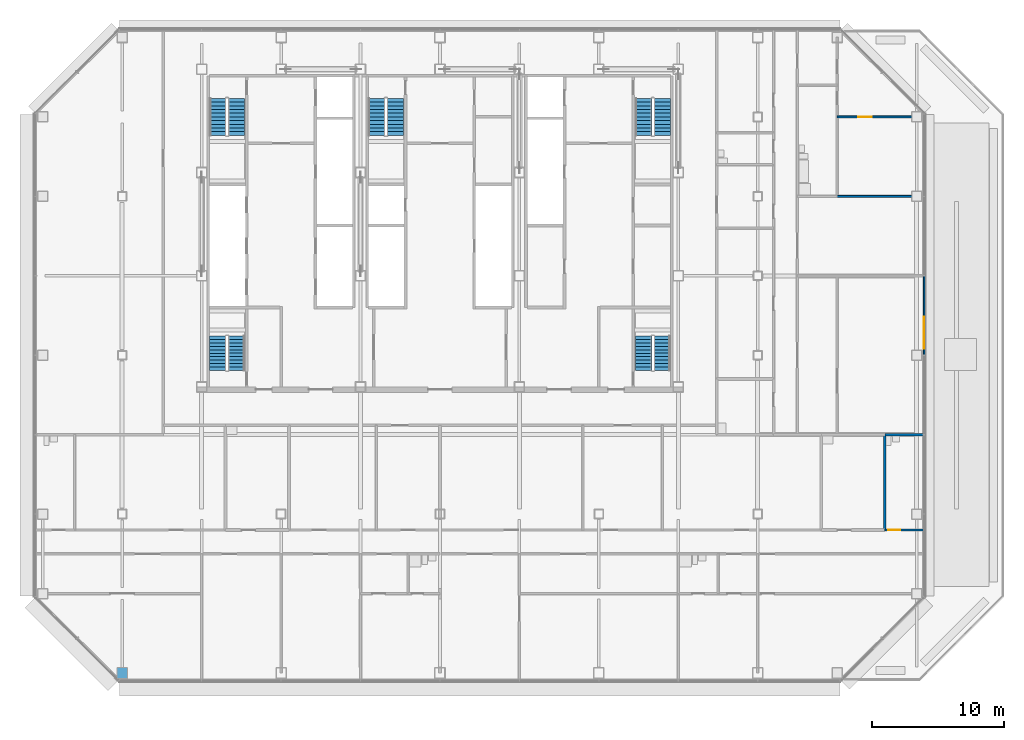
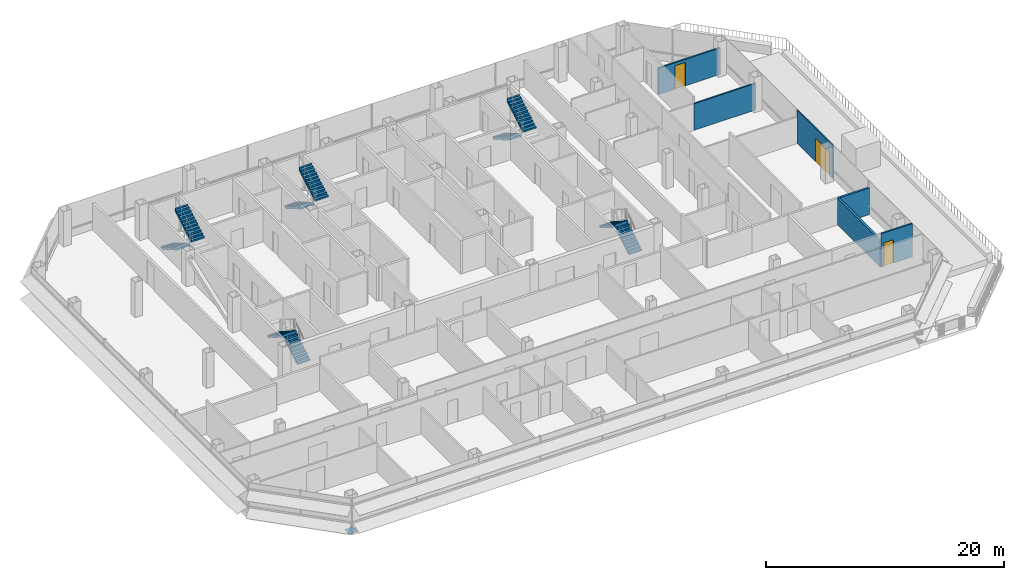
# One storey, part 21 of 28: 10 stair flights, 6 walls, 3 doors, 1 discrete accessory, 3 openings, 5 elements without a shape of their own.
"""IFC4 building model written with IfcOpenShell, lengths in metres."""

from ifc_helpers import new_model, si_unit, direction, frame, frame_2d, origin, origin_2d, place, context, subcontext, project, spatial, polyline, rectangle, outline, extrude, material, layer, layer_set, type_object, element, fill, aggregate, save


model = new_model("IFC4")

# Units and contexts
model_context = context("Model", 3, precision=1e-05, world=origin(), true_north=direction((0.0, 1.0)))
body_context = subcontext(model_context, "Body", "Model", "MODEL_VIEW")
ifc_project = project(units=[si_unit("LENGTHUNIT", "METRE"), si_unit("AREAUNIT", "SQUARE_METRE"), si_unit("VOLUMEUNIT", "CUBIC_METRE"), si_unit("PLANEANGLEUNIT", "RADIAN"), si_unit("MASSUNIT", "GRAM", prefix="KILO")], contexts=[model_context])

# Site, building, storey
site_placement = place(None, origin())
site = spatial("IfcSite", under=ifc_project, at=site_placement, CompositionType="ELEMENT")
building_placement = place(site_placement, origin())
building = spatial("IfcBuilding", under=site, at=building_placement, Name="Sorahane Residences", CompositionType="ELEMENT")
storey_placement = place(building_placement, frame((0.0, 0.0, 96.199951171875)))
storey = spatial("IfcBuildingStorey", under=building, at=storey_placement, Name="L20", CompositionType="ELEMENT", Elevation=96.199951171875)

# Wall, opening, door
ifc_material_1 = material(Name="Toughened low-iron glass", Category="glass")
ifc_layer_1 = layer(ifc_material_1, 0.10009765625)
ifc_layer_set_1 = layer_set([ifc_layer_1], Name="Glazed door screen toughened low-iron glass 100")
wall_type_1 = type_object("IfcWallType", Name="Glazed door screen toughened low-iron glass 100", PredefinedType="SOLIDWALL", material=ifc_layer_set_1)
wall_1_placement = place(storey_placement, frame((60.570068359375, 24.02490234375, 0.0), z_axis=(0.0, 0.0, 1.0), x_axis=(0.0, 1.0, 0.0)))
wall_1 = element("IfcWall", 1, at=wall_1_placement, inside=storey, type_object=wall_type_1, Name="Glazed door screen L20 E1.4", PredefinedType="SOLIDWALL", context=body_context, shape_type="SweptSolid", body=[
    extrude(rectangle(XDim=5.9501953125, YDim=0.10009765625, at=frame_2d((2.97509765625, 0.0))), origin(), (0.0, 0.0, 1.0), 3.420166015625),
])
opening_1_placement = place(wall_1_placement, frame((0.4755859375, 0.0, 0.0)))
opening_1 = element("IfcOpeningElement", 2, at=opening_1_placement, cuts=wall_1, Name="Opening L20-F01", PredefinedType="OPENING", context=body_context, shape_type="SweptSolid", body=[
    extrude(rectangle(XDim=2.39990234375, YDim=2.39990234375, at=frame_2d((1.199951171875, 1.199951171875))), frame((0.0, 0.06005859375, 0.0), z_axis=(0.0, -1.0, 0.0), x_axis=(1.0, 0.0, 0.0)), (0.0, 0.0, 1.0), 0.1201171875),
])
ifc_material_2 = material(Name="Black anodised aluminium and low-iron glass", Category="aluminium")
door_type_1 = type_object("IfcDoorType", Name="Glazed terrace door black aluminium 2400x2400", OperationType="DOUBLE_DOOR_SINGLE_SWING", PredefinedType="DOOR", material=ifc_material_2)
door_1_placement = place(opening_1_placement, origin())
door_1 = element("IfcDoor", 3, at=door_1_placement, inside=storey, type_object=door_type_1, Name="Terrace door L20-F01", OperationType="DOUBLE_DOOR_SINGLE_SWING", OverallHeight=2.39990234375, OverallWidth=2.39990234375, PredefinedType="DOOR", context=body_context, shape_type="SweptSolid", body=[
    extrude(rectangle(XDim=2.39990234375, YDim=2.39990234375, at=frame_2d((1.199951171875, 1.199951171875))), frame((0.0, 0.02490234375, 0.0), z_axis=(0.0, -1.0, 0.0), x_axis=(1.0, 0.0, 0.0)), (0.0, 0.0, 1.0), 0.050048828125),
])
fill(opening_1, door_1)

# Walls
ifc_material_3 = material(Name="Concrete blockwork C20 wall", Category="masonry")
ifc_layer_2 = layer(ifc_material_3, 0.199951171875)
ifc_layer_set_2 = layer_set([ifc_layer_2], Name="Kitchen wall 200 EI 180")
wall_type_2 = type_object("IfcWallType", Name="Kitchen wall 200 EI 180", PredefinedType="SOLIDWALL", material=ifc_layer_set_2)
wall_2_placement = place(storey_placement, frame((57.60009765625, 10.800048828125, 0.0), z_axis=(0.0, 0.0, 1.0), x_axis=(0.0, 1.0, 0.0)))
element("IfcWall", 4, at=wall_2_placement, inside=storey, type_object=wall_type_2, Name="L20 kitchen wall", PredefinedType="SOLIDWALL", context=body_context, shape_type="SweptSolid", body=[
    extrude(rectangle(XDim=7.199951171875, YDim=0.199951171875, at=frame_2d((3.60009765625, 0.0))), origin(), (0.0, 0.0, 1.0), 2.719970703125),
])
ifc_material_4 = material(Name="Gypsum board partition on steel studs", Category="steel")
ifc_layer_3 = layer(ifc_material_4, 0.14990234375)
ifc_layer_set_3 = layer_set([ifc_layer_3], Name="Partition 150 EI 90")
wall_type_3 = type_object("IfcWallType", Name="Partition 150 EI 90", PredefinedType="PARTITIONING", material=ifc_layer_set_3)
wall_3_placement = place(storey_placement, frame((54.0, 36.0, 0.0), z_axis=(0.0, 0.0, 1.0), x_axis=(1.0, 0.0, 0.0)))
element("IfcWall", 5, at=wall_3_placement, inside=storey, type_object=wall_type_3, Name="L20 partition", PredefinedType="PARTITIONING", context=body_context, shape_type="SweptSolid", body=[
    extrude(rectangle(XDim=6.0, YDim=0.14990234375, at=frame_2d((3.0, 0.0))), origin(), (0.0, 0.0, 1.0), 2.719970703125),
])

# Wall, opening, door
wall_4_placement = place(storey_placement, frame((54.0, 42.0, 0.0), z_axis=(0.0, 0.0, 1.0), x_axis=(1.0, 0.0, 0.0)))
wall_4 = element("IfcWall", 6, at=wall_4_placement, inside=storey, type_object=wall_type_3, Name="L20 partition", PredefinedType="PARTITIONING", context=body_context, shape_type="SweptSolid", body=[
    extrude(rectangle(XDim=6.0, YDim=0.14990234375, at=frame_2d((3.0, 0.0))), origin(), (0.0, 0.0, 1.0), 2.719970703125),
])
opening_2_placement = place(wall_4_placement, frame((1.60009765625, 0.0, 0.0)))
opening_2 = element("IfcOpeningElement", 7, at=opening_2_placement, cuts=wall_4, Name="Opening L20-36", PredefinedType="OPENING", context=body_context, shape_type="SweptSolid", body=[
    extrude(rectangle(XDim=1.0, YDim=2.39990234375, at=frame_2d((0.5, 1.199951171875))), frame((0.0, 0.0849609375, 0.0), z_axis=(0.0, -1.0, 0.0), x_axis=(1.0, 0.0, 0.0)), (0.0, 0.0, 1.0), 0.169921875),
])
ifc_material_5 = material(Name="Timber veneered fire door", Category="wood")
door_type_2 = type_object("IfcDoorType", Name="Room door 1000x2400 FD30", OperationType="NOTDEFINED", PredefinedType="DOOR", material=ifc_material_5)
door_2_placement = place(opening_2_placement, frame((1.0, 0.0, 0.0), z_axis=(0.0, 0.0, 1.0), x_axis=(-1.0, 0.0, 0.0)))
door_2 = element("IfcDoor", 8, at=door_2_placement, inside=storey, type_object=door_type_2, Name="Room door L20-36", OperationType="SINGLE_SWING_LEFT", OverallHeight=2.39990234375, OverallWidth=1.0, PredefinedType="DOOR", context=body_context, shape_type="SweptSolid", body=[
    extrude(rectangle(XDim=1.0, YDim=2.39990234375, at=frame_2d((0.5, 1.199951171875))), frame((0.0, 0.02490234375, 0.0), z_axis=(0.0, -1.0, 0.0), x_axis=(1.0, 0.0, 0.0)), (0.0, 0.0, 1.0), 0.050048828125),
])
fill(opening_2, door_2)

# Wall
ifc_material_6 = material(Name="Concrete blockwork C20 wall", Category="masonry")
ifc_layer_4 = layer(ifc_material_6, 0.199951171875)
ifc_layer_set_4 = layer_set([ifc_layer_4], Name="Party wall 200 EI 120")
wall_type_4 = type_object("IfcWallType", Name="Party wall 200 EI 120", PredefinedType="SOLIDWALL", material=ifc_layer_set_4)
wall_5_placement = place(storey_placement, frame((57.60009765625, 18.0, 0.0), z_axis=(0.0, 0.0, 1.0), x_axis=(1.0, 0.0, 0.0)))
element("IfcWall", 9, at=wall_5_placement, inside=storey, type_object=wall_type_4, Name="L20 party wall", PredefinedType="SOLIDWALL", context=body_context, shape_type="SweptSolid", body=[
    extrude(rectangle(XDim=3.0, YDim=0.199951171875, at=frame_2d((1.5, 0.0))), origin(), (0.0, 0.0, 1.0), 2.719970703125),
])

# Wall, opening, door
ifc_material_7 = material(Name="Gypsum board partition on steel studs", Category="steel")
ifc_layer_5 = layer(ifc_material_7, 0.14990234375)
ifc_layer_set_5 = layer_set([ifc_layer_5], Name="Wet wall 150 EI 90")
wall_type_5 = type_object("IfcWallType", Name="Wet wall 150 EI 90", PredefinedType="PARTITIONING", material=ifc_layer_set_5)
wall_6_placement = place(storey_placement, frame((57.60009765625, 10.800048828125, 0.0), z_axis=(0.0, 0.0, 1.0), x_axis=(1.0, 0.0, 0.0)))
wall_6 = element("IfcWall", 10, at=wall_6_placement, inside=storey, type_object=wall_type_5, Name="L20 wet wall", PredefinedType="PARTITIONING", context=body_context, shape_type="SweptSolid", body=[
    extrude(rectangle(XDim=3.0, YDim=0.14990234375, at=frame_2d((1.5, 0.0))), origin(), (0.0, 0.0, 1.0), 3.420166015625),
])
opening_3_placement = place(wall_6_placement, frame((0.25, 0.0, 0.0)))
opening_3 = element("IfcOpeningElement", 11, at=opening_3_placement, cuts=wall_6, Name="Opening L20-17", PredefinedType="OPENING", context=body_context, shape_type="SweptSolid", body=[
    extrude(rectangle(XDim=0.89990234375, YDim=2.39990234375, at=frame_2d((0.449951171875, 1.199951171875))), frame((0.0, 0.0849609375, 0.0), z_axis=(0.0, -1.0, 0.0), x_axis=(1.0, 0.0, 0.0)), (0.0, 0.0, 1.0), 0.169921875),
])
ifc_material_8 = material(Name="Timber veneered fire door", Category="wood")
door_type_3 = type_object("IfcDoorType", Name="Bathroom door 900x2400 FD30", OperationType="NOTDEFINED", PredefinedType="DOOR", material=ifc_material_8)
door_3_placement = place(opening_3_placement, frame((0.89990234375, 0.0, 0.0), z_axis=(0.0, 0.0, 1.0), x_axis=(-1.0, 0.0, 0.0)))
door_3 = element("IfcDoor", 12, at=door_3_placement, inside=storey, type_object=door_type_3, Name="Bathroom door L20-17", OperationType="SINGLE_SWING_RIGHT", OverallHeight=2.39990234375, OverallWidth=0.89990234375, PredefinedType="DOOR", context=body_context, shape_type="SweptSolid", body=[
    extrude(rectangle(XDim=0.89990234375, YDim=2.39990234375, at=frame_2d((0.449951171875, 1.199951171875))), frame((0.0, 0.02490234375, 0.0), z_axis=(0.0, -1.0, 0.0), x_axis=(1.0, 0.0, 0.0)), (0.0, 0.0, 1.0), 0.050048828125),
])
fill(opening_3, door_3)

# Stair, stair flights
ifc_material_9 = material(Name="Concrete C40", Category="concrete")
stair_type = type_object("IfcStairType", Name="Dog-leg stair 1250 Concrete C40", PredefinedType="HALF_TURN_STAIR", material=ifc_material_9)
stair_1_placement = place(storey_placement, origin())
stair_1 = element("IfcStair", 13, at=stair_1_placement, inside=storey, type_object=stair_type, Name="L20 Stair S1", PredefinedType="HALF_TURN_STAIR")
ifc_material_10 = material(Name="Concrete C40", Category="concrete")
stair_flight_type = type_object("IfcStairFlightType", Name="Stair flight 1250 Concrete C40", PredefinedType="STRAIGHT", material=ifc_material_10)
stair_flight_1_placement = place(storey_placement, frame((7.22509765625, 43.39990234375, 0.0), z_axis=(0.0, 0.0, 1.0), x_axis=(0.0, -1.0, 0.0)))
stair_flight_1 = element("IfcStairFlight", 14, at=stair_flight_1_placement, type_object=stair_flight_type, Name="S1 flight 1", NumberOfRisers=11, NumberOfTreads=10, PredefinedType="STRAIGHT", RiserHeight=0.163636364, TreadLength=0.28, context=body_context, shape_type="SweptSolid", body=[
    extrude(outline(polyline([(-0.00146484375, 0.0), (-0.00146484375, 0.16357421875), (0.0, 0.16357421875), (0.280029296875, 0.16357421875), (0.280029296875, 0.327392578125), (0.56005859375, 0.327392578125), (0.56005859375, 0.490966796875), (0.840087890625, 0.490966796875), (0.840087890625, 0.654541015625), (1.1201171875, 0.654541015625), (1.1201171875, 0.818115234375), (1.39990234375, 0.818115234375), (1.39990234375, 0.98193359375), (1.679931640625, 0.98193359375), (1.679931640625, 1.1455078125), (1.9599609375, 1.1455078125), (1.9599609375, 1.30908203125), (2.239990234375, 1.30908203125), (2.239990234375, 1.47265625), (2.52001953125, 1.47265625), (2.52001953125, 1.636474609375), (2.800048828125, 1.636474609375), (2.800048828125, 1.800048828125), (2.800048828125, 1.462646484375), (2.59130859375, 1.3408203125), (2.3828125, 1.218994140625), (2.17431640625, 1.09716796875), (1.965576171875, 0.97509765625), (1.757080078125, 0.853271484375), (1.548583984375, 0.7314453125), (1.340087890625, 0.609375), (1.13134765625, 0.487548828125), (0.9228515625, 0.36572265625), (0.71435546875, 0.243896484375), (0.505615234375, 0.121826171875), (0.297119140625, 0.0), (-0.00146484375, 0.0)])), frame((0.0, 0.625, 0.0), z_axis=(0.0, -1.0, 0.0), x_axis=(1.0, 0.0, 0.0)), (0.0, 0.0, 1.0), 1.25),
])
stair_flight_2_placement = place(storey_placement, frame((8.625, 40.60009765625, 1.800048828125), z_axis=(0.0, 0.0, 1.0), x_axis=(0.0, 1.0, 0.0)))
stair_flight_2 = element("IfcStairFlight", 15, at=stair_flight_2_placement, type_object=stair_flight_type, Name="S1 flight 2", NumberOfRisers=11, NumberOfTreads=10, PredefinedType="STRAIGHT", RiserHeight=0.163636364, TreadLength=0.28, context=body_context, shape_type="SweptSolid", body=[
    extrude(outline(polyline([(0.0, 0.0), (0.0, 0.16357421875), (0.280029296875, 0.16357421875), (0.280029296875, 0.327392578125), (0.56005859375, 0.327392578125), (0.56005859375, 0.490966796875), (0.840087890625, 0.490966796875), (0.840087890625, 0.654541015625), (1.1201171875, 0.654541015625), (1.1201171875, 0.818115234375), (1.39990234375, 0.818115234375), (1.39990234375, 0.98193359375), (1.679931640625, 0.98193359375), (1.679931640625, 1.1455078125), (1.9599609375, 1.1455078125), (1.9599609375, 1.30908203125), (2.239990234375, 1.30908203125), (2.239990234375, 1.47265625), (2.52001953125, 1.47265625), (2.52001953125, 1.636474609375), (2.800048828125, 1.636474609375), (2.800048828125, 1.800048828125), (2.801513671875, 1.800048828125), (2.801513671875, 1.462646484375), (2.5927734375, 1.3408203125), (2.384033203125, 1.218994140625), (2.17529296875, 1.09716796875), (1.966796875, 0.97509765625), (1.758056640625, 0.853271484375), (1.54931640625, 0.7314453125), (1.340576171875, 0.609375), (1.1318359375, 0.487548828125), (0.923095703125, 0.36572265625), (0.714599609375, 0.243896484375), (0.505859375, 0.121826171875), (0.297119140625, 0.0), (0.0, 0.0)])), frame((0.0, 0.625, 0.0), z_axis=(0.0, -1.0, 0.0), x_axis=(1.0, 0.0, 0.0)), (0.0, 0.0, 1.0), 1.25),
])
aggregate(stair_1, [stair_flight_1, stair_flight_2])

stair_2_placement = place(storey_placement, origin())
stair_2 = element("IfcStair", 16, at=stair_2_placement, inside=storey, type_object=stair_type, Name="L20 Stair S2", PredefinedType="HALF_TURN_STAIR")
stair_flight_3_placement = place(storey_placement, frame((39.375, 43.39990234375, 0.0), z_axis=(0.0, 0.0, 1.0), x_axis=(0.0, -1.0, 0.0)))
stair_flight_3 = element("IfcStairFlight", 17, at=stair_flight_3_placement, type_object=stair_flight_type, Name="S2 flight 1", NumberOfRisers=11, NumberOfTreads=10, PredefinedType="STRAIGHT", RiserHeight=0.163636364, TreadLength=0.28, context=body_context, shape_type="SweptSolid", body=[
    extrude(outline(polyline([(-0.00146484375, 0.0), (-0.00146484375, 0.16357421875), (0.0, 0.16357421875), (0.280029296875, 0.16357421875), (0.280029296875, 0.327392578125), (0.56005859375, 0.327392578125), (0.56005859375, 0.490966796875), (0.840087890625, 0.490966796875), (0.840087890625, 0.654541015625), (1.1201171875, 0.654541015625), (1.1201171875, 0.818115234375), (1.39990234375, 0.818115234375), (1.39990234375, 0.98193359375), (1.679931640625, 0.98193359375), (1.679931640625, 1.1455078125), (1.9599609375, 1.1455078125), (1.9599609375, 1.30908203125), (2.239990234375, 1.30908203125), (2.239990234375, 1.47265625), (2.52001953125, 1.47265625), (2.52001953125, 1.636474609375), (2.800048828125, 1.636474609375), (2.800048828125, 1.800048828125), (2.800048828125, 1.462646484375), (2.59130859375, 1.3408203125), (2.3828125, 1.218994140625), (2.17431640625, 1.09716796875), (1.965576171875, 0.97509765625), (1.757080078125, 0.853271484375), (1.548583984375, 0.7314453125), (1.340087890625, 0.609375), (1.13134765625, 0.487548828125), (0.9228515625, 0.36572265625), (0.71435546875, 0.243896484375), (0.505615234375, 0.121826171875), (0.297119140625, 0.0), (-0.00146484375, 0.0)])), frame((0.0, 0.625, 0.0), z_axis=(0.0, -1.0, 0.0), x_axis=(1.0, 0.0, 0.0)), (0.0, 0.0, 1.0), 1.25),
])
stair_flight_4_placement = place(storey_placement, frame((40.77490234375, 40.60009765625, 1.800048828125), z_axis=(0.0, 0.0, 1.0), x_axis=(0.0, 1.0, 0.0)))
stair_flight_4 = element("IfcStairFlight", 18, at=stair_flight_4_placement, type_object=stair_flight_type, Name="S2 flight 2", NumberOfRisers=11, NumberOfTreads=10, PredefinedType="STRAIGHT", RiserHeight=0.163636364, TreadLength=0.28, context=body_context, shape_type="SweptSolid", body=[
    extrude(outline(polyline([(0.0, 0.0), (0.0, 0.16357421875), (0.280029296875, 0.16357421875), (0.280029296875, 0.327392578125), (0.56005859375, 0.327392578125), (0.56005859375, 0.490966796875), (0.840087890625, 0.490966796875), (0.840087890625, 0.654541015625), (1.1201171875, 0.654541015625), (1.1201171875, 0.818115234375), (1.39990234375, 0.818115234375), (1.39990234375, 0.98193359375), (1.679931640625, 0.98193359375), (1.679931640625, 1.1455078125), (1.9599609375, 1.1455078125), (1.9599609375, 1.30908203125), (2.239990234375, 1.30908203125), (2.239990234375, 1.47265625), (2.52001953125, 1.47265625), (2.52001953125, 1.636474609375), (2.800048828125, 1.636474609375), (2.800048828125, 1.800048828125), (2.801513671875, 1.800048828125), (2.801513671875, 1.462646484375), (2.5927734375, 1.3408203125), (2.384033203125, 1.218994140625), (2.17529296875, 1.09716796875), (1.966796875, 0.97509765625), (1.758056640625, 0.853271484375), (1.54931640625, 0.7314453125), (1.340576171875, 0.609375), (1.1318359375, 0.487548828125), (0.923095703125, 0.36572265625), (0.714599609375, 0.243896484375), (0.505859375, 0.121826171875), (0.297119140625, 0.0), (0.0, 0.0)])), frame((0.0, 0.625, 0.0), z_axis=(0.0, -1.0, 0.0), x_axis=(1.0, 0.0, 0.0)), (0.0, 0.0, 1.0), 1.25),
])
aggregate(stair_2, [stair_flight_3, stair_flight_4])

stair_3_placement = place(storey_placement, origin())
stair_3 = element("IfcStair", 19, at=stair_3_placement, inside=storey, type_object=stair_type, Name="L20 Stair S3", PredefinedType="HALF_TURN_STAIR")
stair_flight_5_placement = place(storey_placement, frame((19.22509765625, 43.39990234375, 0.0), z_axis=(0.0, 0.0, 1.0), x_axis=(0.0, -1.0, 0.0)))
stair_flight_5 = element("IfcStairFlight", 20, at=stair_flight_5_placement, type_object=stair_flight_type, Name="S3 flight 1", NumberOfRisers=11, NumberOfTreads=10, PredefinedType="STRAIGHT", RiserHeight=0.163636364, TreadLength=0.28, context=body_context, shape_type="SweptSolid", body=[
    extrude(outline(polyline([(-0.00146484375, 0.0), (-0.00146484375, 0.16357421875), (0.0, 0.16357421875), (0.280029296875, 0.16357421875), (0.280029296875, 0.327392578125), (0.56005859375, 0.327392578125), (0.56005859375, 0.490966796875), (0.840087890625, 0.490966796875), (0.840087890625, 0.654541015625), (1.1201171875, 0.654541015625), (1.1201171875, 0.818115234375), (1.39990234375, 0.818115234375), (1.39990234375, 0.98193359375), (1.679931640625, 0.98193359375), (1.679931640625, 1.1455078125), (1.9599609375, 1.1455078125), (1.9599609375, 1.30908203125), (2.239990234375, 1.30908203125), (2.239990234375, 1.47265625), (2.52001953125, 1.47265625), (2.52001953125, 1.636474609375), (2.800048828125, 1.636474609375), (2.800048828125, 1.800048828125), (2.800048828125, 1.462646484375), (2.59130859375, 1.3408203125), (2.3828125, 1.218994140625), (2.17431640625, 1.09716796875), (1.965576171875, 0.97509765625), (1.757080078125, 0.853271484375), (1.548583984375, 0.7314453125), (1.340087890625, 0.609375), (1.13134765625, 0.487548828125), (0.9228515625, 0.36572265625), (0.71435546875, 0.243896484375), (0.505615234375, 0.121826171875), (0.297119140625, 0.0), (-0.00146484375, 0.0)])), frame((0.0, 0.625, 0.0), z_axis=(0.0, -1.0, 0.0), x_axis=(1.0, 0.0, 0.0)), (0.0, 0.0, 1.0), 1.25),
])
stair_flight_6_placement = place(storey_placement, frame((20.625, 40.60009765625, 1.800048828125), z_axis=(0.0, 0.0, 1.0), x_axis=(0.0, 1.0, 0.0)))
stair_flight_6 = element("IfcStairFlight", 21, at=stair_flight_6_placement, type_object=stair_flight_type, Name="S3 flight 2", NumberOfRisers=11, NumberOfTreads=10, PredefinedType="STRAIGHT", RiserHeight=0.163636364, TreadLength=0.28, context=body_context, shape_type="SweptSolid", body=[
    extrude(outline(polyline([(0.0, 0.0), (0.0, 0.16357421875), (0.280029296875, 0.16357421875), (0.280029296875, 0.327392578125), (0.56005859375, 0.327392578125), (0.56005859375, 0.490966796875), (0.840087890625, 0.490966796875), (0.840087890625, 0.654541015625), (1.1201171875, 0.654541015625), (1.1201171875, 0.818115234375), (1.39990234375, 0.818115234375), (1.39990234375, 0.98193359375), (1.679931640625, 0.98193359375), (1.679931640625, 1.1455078125), (1.9599609375, 1.1455078125), (1.9599609375, 1.30908203125), (2.239990234375, 1.30908203125), (2.239990234375, 1.47265625), (2.52001953125, 1.47265625), (2.52001953125, 1.636474609375), (2.800048828125, 1.636474609375), (2.800048828125, 1.800048828125), (2.801513671875, 1.800048828125), (2.801513671875, 1.462646484375), (2.5927734375, 1.3408203125), (2.384033203125, 1.218994140625), (2.17529296875, 1.09716796875), (1.966796875, 0.97509765625), (1.758056640625, 0.853271484375), (1.54931640625, 0.7314453125), (1.340576171875, 0.609375), (1.1318359375, 0.487548828125), (0.923095703125, 0.36572265625), (0.714599609375, 0.243896484375), (0.505859375, 0.121826171875), (0.297119140625, 0.0), (0.0, 0.0)])), frame((0.0, 0.625, 0.0), z_axis=(0.0, -1.0, 0.0), x_axis=(1.0, 0.0, 0.0)), (0.0, 0.0, 1.0), 1.25),
])
aggregate(stair_3, [stair_flight_5, stair_flight_6])

stair_4_placement = place(storey_placement, origin())
stair_4 = element("IfcStair", 22, at=stair_4_placement, inside=storey, type_object=stair_type, Name="L20 Stair S4", PredefinedType="HALF_TURN_STAIR")
stair_flight_7_placement = place(storey_placement, frame((8.625, 22.85009765625, 0.0), z_axis=(0.0, 0.0, 1.0), x_axis=(0.0, 1.0, 0.0)))
stair_flight_7 = element("IfcStairFlight", 23, at=stair_flight_7_placement, type_object=stair_flight_type, Name="S4 flight 1", NumberOfRisers=11, NumberOfTreads=10, PredefinedType="STRAIGHT", RiserHeight=0.163636364, TreadLength=0.26, context=body_context, shape_type="SweptSolid", body=[
    extrude(outline(polyline([(-0.00146484375, 0.0), (-0.00146484375, 0.16357421875), (0.0, 0.16357421875), (0.260009765625, 0.16357421875), (0.260009765625, 0.327392578125), (0.52001953125, 0.327392578125), (0.52001953125, 0.490966796875), (0.780029296875, 0.490966796875), (0.780029296875, 0.654541015625), (1.0400390625, 0.654541015625), (1.0400390625, 0.818115234375), (1.300048828125, 0.818115234375), (1.300048828125, 0.98193359375), (1.56005859375, 0.98193359375), (1.56005859375, 1.1455078125), (1.820068359375, 1.1455078125), (1.820068359375, 1.30908203125), (2.080078125, 1.30908203125), (2.080078125, 1.47265625), (2.340087890625, 1.47265625), (2.340087890625, 1.636474609375), (2.60009765625, 1.636474609375), (2.60009765625, 1.800048828125), (2.60009765625, 1.494384765625), (2.402099609375, 1.369873046875), (2.204345703125, 1.245361328125), (2.00634765625, 1.120849609375), (1.80859375, 0.996337890625), (1.610595703125, 0.871826171875), (1.412841796875, 0.747314453125), (1.21484375, 0.622802734375), (1.01708984375, 0.498046875), (0.819091796875, 0.37353515625), (0.621337890625, 0.2490234375), (0.42333984375, 0.12451171875), (0.2255859375, 0.0), (-0.00146484375, 0.0)])), frame((0.0, 0.625, 0.0), z_axis=(0.0, -1.0, 0.0), x_axis=(1.0, 0.0, 0.0)), (0.0, 0.0, 1.0), 1.25),
])
stair_flight_8_placement = place(storey_placement, frame((7.22509765625, 25.449951171875, 1.800048828125), z_axis=(0.0, 0.0, 1.0), x_axis=(0.0, -1.0, 0.0)))
stair_flight_8 = element("IfcStairFlight", 24, at=stair_flight_8_placement, type_object=stair_flight_type, Name="S4 flight 2", NumberOfRisers=11, NumberOfTreads=10, PredefinedType="STRAIGHT", RiserHeight=0.163636364, TreadLength=0.26, context=body_context, shape_type="SweptSolid", body=[
    extrude(outline(polyline([(0.0, 0.0), (0.0, 0.16357421875), (0.260009765625, 0.16357421875), (0.260009765625, 0.327392578125), (0.52001953125, 0.327392578125), (0.52001953125, 0.490966796875), (0.780029296875, 0.490966796875), (0.780029296875, 0.654541015625), (1.0400390625, 0.654541015625), (1.0400390625, 0.818115234375), (1.300048828125, 0.818115234375), (1.300048828125, 0.98193359375), (1.56005859375, 0.98193359375), (1.56005859375, 1.1455078125), (1.820068359375, 1.1455078125), (1.820068359375, 1.30908203125), (2.080078125, 1.30908203125), (2.080078125, 1.47265625), (2.340087890625, 1.47265625), (2.340087890625, 1.636474609375), (2.60009765625, 1.636474609375), (2.60009765625, 1.800048828125), (2.6015625, 1.800048828125), (2.6015625, 1.494384765625), (2.403564453125, 1.369873046875), (2.20556640625, 1.245361328125), (2.007568359375, 1.120849609375), (1.8095703125, 0.996337890625), (1.611572265625, 0.871826171875), (1.41357421875, 0.747314453125), (1.215576171875, 0.622802734375), (1.017578125, 0.498046875), (0.819580078125, 0.37353515625), (0.62158203125, 0.2490234375), (0.423583984375, 0.12451171875), (0.2255859375, 0.0), (0.0, 0.0)])), frame((0.0, 0.625, 0.0), z_axis=(0.0, -1.0, 0.0), x_axis=(1.0, 0.0, 0.0)), (0.0, 0.0, 1.0), 1.25),
])
aggregate(stair_4, [stair_flight_7, stair_flight_8])

stair_5_placement = place(storey_placement, origin())
stair_5 = element("IfcStair", 25, at=stair_5_placement, inside=storey, type_object=stair_type, Name="L20 Stair S5", PredefinedType="HALF_TURN_STAIR")
stair_flight_9_placement = place(storey_placement, frame((40.77490234375, 22.85009765625, 0.0), z_axis=(0.0, 0.0, 1.0), x_axis=(0.0, 1.0, 0.0)))
stair_flight_9 = element("IfcStairFlight", 26, at=stair_flight_9_placement, type_object=stair_flight_type, Name="S5 flight 1", NumberOfRisers=11, NumberOfTreads=10, PredefinedType="STRAIGHT", RiserHeight=0.163636364, TreadLength=0.26, context=body_context, shape_type="SweptSolid", body=[
    extrude(outline(polyline([(-0.00146484375, 0.0), (-0.00146484375, 0.16357421875), (0.0, 0.16357421875), (0.260009765625, 0.16357421875), (0.260009765625, 0.327392578125), (0.52001953125, 0.327392578125), (0.52001953125, 0.490966796875), (0.780029296875, 0.490966796875), (0.780029296875, 0.654541015625), (1.0400390625, 0.654541015625), (1.0400390625, 0.818115234375), (1.300048828125, 0.818115234375), (1.300048828125, 0.98193359375), (1.56005859375, 0.98193359375), (1.56005859375, 1.1455078125), (1.820068359375, 1.1455078125), (1.820068359375, 1.30908203125), (2.080078125, 1.30908203125), (2.080078125, 1.47265625), (2.340087890625, 1.47265625), (2.340087890625, 1.636474609375), (2.60009765625, 1.636474609375), (2.60009765625, 1.800048828125), (2.60009765625, 1.494384765625), (2.402099609375, 1.369873046875), (2.204345703125, 1.245361328125), (2.00634765625, 1.120849609375), (1.80859375, 0.996337890625), (1.610595703125, 0.871826171875), (1.412841796875, 0.747314453125), (1.21484375, 0.622802734375), (1.01708984375, 0.498046875), (0.819091796875, 0.37353515625), (0.621337890625, 0.2490234375), (0.42333984375, 0.12451171875), (0.2255859375, 0.0), (-0.00146484375, 0.0)])), frame((0.0, 0.625, 0.0), z_axis=(0.0, -1.0, 0.0), x_axis=(1.0, 0.0, 0.0)), (0.0, 0.0, 1.0), 1.25),
])
stair_flight_10_placement = place(storey_placement, frame((39.375, 25.449951171875, 1.800048828125), z_axis=(0.0, 0.0, 1.0), x_axis=(0.0, -1.0, 0.0)))
stair_flight_10 = element("IfcStairFlight", 27, at=stair_flight_10_placement, type_object=stair_flight_type, Name="S5 flight 2", NumberOfRisers=11, NumberOfTreads=10, PredefinedType="STRAIGHT", RiserHeight=0.163636364, TreadLength=0.26, context=body_context, shape_type="SweptSolid", body=[
    extrude(outline(polyline([(0.0, 0.0), (0.0, 0.16357421875), (0.260009765625, 0.16357421875), (0.260009765625, 0.327392578125), (0.52001953125, 0.327392578125), (0.52001953125, 0.490966796875), (0.780029296875, 0.490966796875), (0.780029296875, 0.654541015625), (1.0400390625, 0.654541015625), (1.0400390625, 0.818115234375), (1.300048828125, 0.818115234375), (1.300048828125, 0.98193359375), (1.56005859375, 0.98193359375), (1.56005859375, 1.1455078125), (1.820068359375, 1.1455078125), (1.820068359375, 1.30908203125), (2.080078125, 1.30908203125), (2.080078125, 1.47265625), (2.340087890625, 1.47265625), (2.340087890625, 1.636474609375), (2.60009765625, 1.636474609375), (2.60009765625, 1.800048828125), (2.6015625, 1.800048828125), (2.6015625, 1.494384765625), (2.403564453125, 1.369873046875), (2.20556640625, 1.245361328125), (2.007568359375, 1.120849609375), (1.8095703125, 0.996337890625), (1.611572265625, 0.871826171875), (1.41357421875, 0.747314453125), (1.215576171875, 0.622802734375), (1.017578125, 0.498046875), (0.819580078125, 0.37353515625), (0.62158203125, 0.2490234375), (0.423583984375, 0.12451171875), (0.2255859375, 0.0), (0.0, 0.0)])), frame((0.0, 0.625, 0.0), z_axis=(0.0, -1.0, 0.0), x_axis=(1.0, 0.0, 0.0)), (0.0, 0.0, 1.0), 1.25),
])
aggregate(stair_5, [stair_flight_9, stair_flight_10])

# Discrete accessory
ifc_material_11 = material(Name="Steel Q355B", Category="steel")
ifc_layer_6 = layer(ifc_material_11, 0.02001953125)
ifc_layer_set_6 = layer_set([ifc_layer_6], Name="End plate Steel Q355B 800x800x20")
discrete_accessory_type = type_object("IfcDiscreteAccessoryType", Name="End plate Steel Q355B 800x800x20", PredefinedType="USERDEFINED", material=ifc_layer_set_6)
discrete_accessory_placement = place(storey_placement, frame((0.0, 0.0, -0.320068359375), z_axis=(0.0, 0.0, 1.0), x_axis=(1.0, 0.0, 0.0)))
element("IfcDiscreteAccessory", 28, at=discrete_accessory_placement, inside=storey, type_object=discrete_accessory_type, Name="End plate L20", ObjectType="END PLATE", PredefinedType="USERDEFINED", context=body_context, shape_type="SweptSolid", body=[
    extrude(rectangle(XDim=0.800048828125, YDim=0.800048828125, at=origin_2d()), origin(), (0.0, 0.0, 1.0), 0.02001953125),
])

save(model, "model.ifc")
